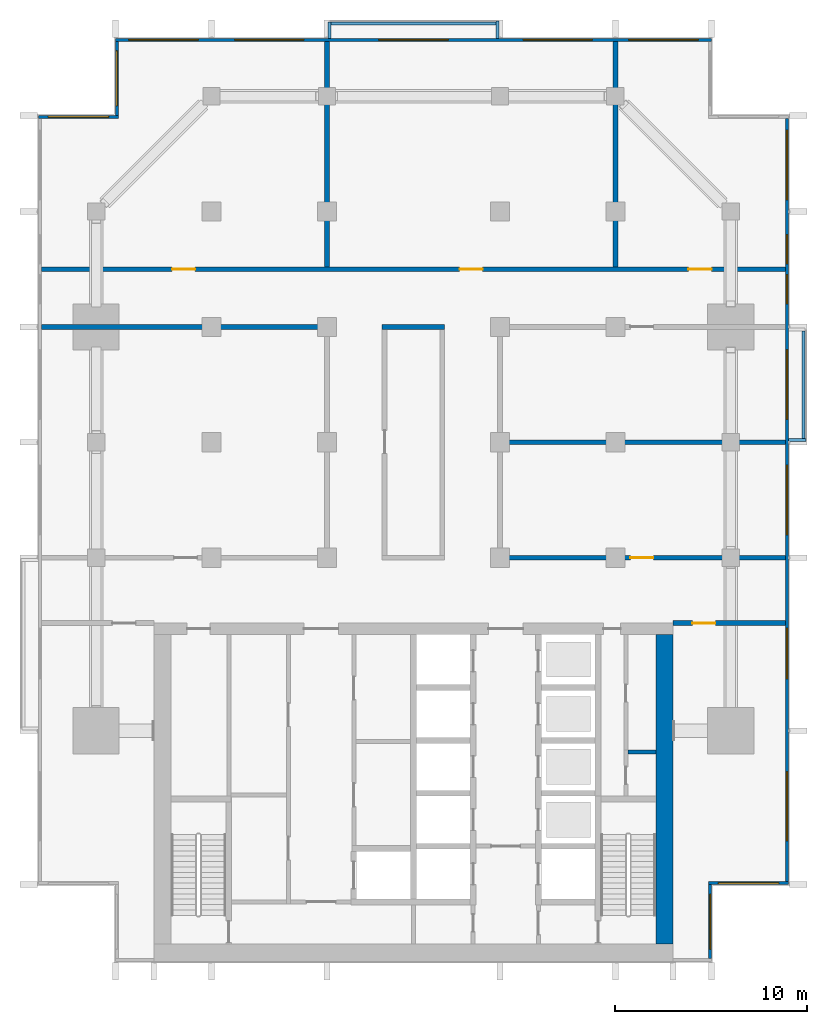
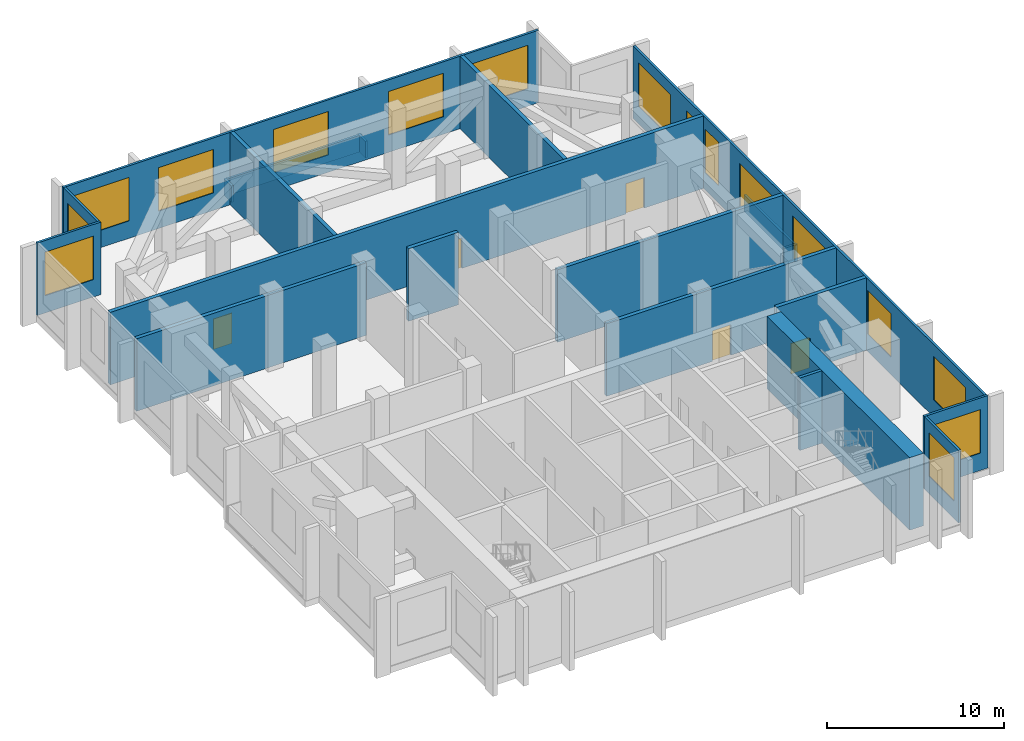
# One storey, part 4 of 11: 21 walls, 16 windows, 5 doors, 21 openings.
"""IFC4 building model written with IfcOpenShell, lengths in metres."""

from ifc_helpers import new_model, si_unit, direction, frame, frame_2d, origin, place, context, subcontext, project, spatial, rectangle, extrude, material, layer, layer_set, type_object, element, fill, save


model = new_model("IFC4")

# Units and contexts
model_context = context("Model", 3, precision=1e-05, world=origin(), true_north=direction((0.0, 1.0)))
body_context = subcontext(model_context, "Body", "Model", "MODEL_VIEW")
ifc_project = project(units=[si_unit("LENGTHUNIT", "METRE"), si_unit("AREAUNIT", "SQUARE_METRE"), si_unit("VOLUMEUNIT", "CUBIC_METRE"), si_unit("PLANEANGLEUNIT", "RADIAN"), si_unit("MASSUNIT", "GRAM", prefix="KILO")], contexts=[model_context])

# Site, building, storey
site_placement = place(None, origin())
site = spatial("IfcSite", under=ifc_project, at=site_placement, CompositionType="ELEMENT")
building_placement = place(site_placement, origin())
building = spatial("IfcBuilding", under=site, at=building_placement, Name="Finial Court Residences", CompositionType="ELEMENT")
storey_placement = place(building_placement, frame((0.0, 0.0, 199.699951171875)))
storey = spatial("IfcBuildingStorey", under=building, at=storey_placement, Name="L50", CompositionType="ELEMENT", Elevation=199.699951171875)

# Walls
ifc_material_1 = material(Name="Concrete C70/85", Category="concrete")
ifc_layer_1 = layer(ifc_material_1, 0.89990234375)
ifc_layer_set_1 = layer_set([ifc_layer_1], Name="Core outer wall 900 Concrete C70/85")
wall_type_1 = type_object("IfcWallType", Name="Core outer wall 900 Concrete C70/85", PredefinedType="SHEAR", material=ifc_layer_set_1)
wall_1_placement = place(storey_placement, frame((13.050048828125, -24.60009765625, 0.0), z_axis=(0.0, 0.0, 1.0), x_axis=(0.0, 1.0, 0.0)))
element("IfcWall", 1, at=wall_1_placement, inside=storey, type_object=wall_type_1, Name="Core outer wall L50-04", PredefinedType="SHEAR", context=body_context, shape_type="SweptSolid", body=[
    extrude(rectangle(XDim=16.10009765625, YDim=0.89990234375, at=frame_2d((8.050048828125, 0.0))), origin(), (0.0, 0.0, 1.0), 5.0),
])
ifc_material_2 = material(Name="Concrete C35/45", Category="concrete")
ifc_layer_2 = layer(ifc_material_2, 0.14990234375)
ifc_layer_set_2 = layer_set([ifc_layer_2], Name="Ledge parapet, Concrete C35/45 150")
wall_type_2 = type_object("IfcWallType", Name="Ledge parapet, Concrete C35/45 150", PredefinedType="PARAPET", material=ifc_layer_set_2)
wall_2_placement = place(storey_placement, frame((4.375, 23.39990234375, 0.0), z_axis=(0.0, 0.0, 1.0), x_axis=(0.0, -1.0, 0.0)))
element("IfcWall", 2, at=wall_2_placement, inside=storey, type_object=wall_type_2, Name="E-L50-LED1-P1", PredefinedType="PARAPET", context=body_context, shape_type="SweptSolid", body=[
    extrude(rectangle(XDim=0.889892578125, YDim=0.14990234375, at=frame_2d((0.44482421875, 0.0))), origin(), (0.0, 0.0, 1.0), 1.150146484375),
])
wall_3_placement = place(storey_placement, frame((-4.375, 22.510009765625, 0.0), z_axis=(0.0, 0.0, 1.0), x_axis=(0.0, 1.0, 0.0)))
element("IfcWall", 3, at=wall_3_placement, inside=storey, type_object=wall_type_2, Name="E-L50-LED1-P2", PredefinedType="PARAPET", context=body_context, shape_type="SweptSolid", body=[
    extrude(rectangle(XDim=0.840087890625, YDim=0.14990234375, at=frame_2d((0.419921875, 0.0))), origin(), (0.0, 0.0, 1.0), 1.150146484375),
])
wall_4_placement = place(storey_placement, frame((-4.300048828125, 23.27490234375, 0.0), z_axis=(0.0, 0.0, 1.0), x_axis=(1.0, 0.0, 0.0)))
element("IfcWall", 4, at=wall_4_placement, inside=storey, type_object=wall_type_2, Name="E-L50-LED1-P3", PredefinedType="PARAPET", context=body_context, shape_type="SweptSolid", body=[
    extrude(rectangle(XDim=8.800048828125, YDim=0.14990234375, at=frame_2d((4.39990234375, 0.0))), origin(), (0.0, 0.0, 1.0), 1.150146484375),
])
wall_5_placement = place(storey_placement, frame((20.39990234375, 1.625, 0.0), z_axis=(0.0, 0.0, 1.0), x_axis=(-1.0, 0.0, 0.0)))
element("IfcWall", 5, at=wall_5_placement, inside=storey, type_object=wall_type_2, Name="E-L50-LED2-P1", PredefinedType="PARAPET", context=body_context, shape_type="SweptSolid", body=[
    extrude(rectangle(XDim=0.889892578125, YDim=0.14990234375, at=frame_2d((0.44482421875, 0.0))), origin(), (0.0, 0.0, 1.0), 1.150146484375),
])
wall_6_placement = place(storey_placement, frame((20.27490234375, 7.300048828125, 0.0), z_axis=(0.0, 0.0, 1.0), x_axis=(0.0, -1.0, 0.0)))
element("IfcWall", 6, at=wall_6_placement, inside=storey, type_object=wall_type_2, Name="E-L50-LED2-P3", PredefinedType="PARAPET", context=body_context, shape_type="SweptSolid", body=[
    extrude(rectangle(XDim=5.800048828125, YDim=0.14990234375, at=frame_2d((2.89990234375, 0.0))), origin(), (0.0, 0.0, 1.0), 1.150146484375),
])

# Wall, opening, door
ifc_material_3 = material(Name="Fire-rated board")
ifc_layer_3 = layer(ifc_material_3, 0.050048828125)
ifc_material_4 = material(Name="Mineral wool in double frame")
ifc_layer_4 = layer(ifc_material_4, 0.14990234375)
ifc_layer_5 = layer(ifc_material_3, 0.050048828125)
ifc_layer_set_3 = layer_set([ifc_layer_3, ifc_layer_4, ifc_layer_5], Name="Plant room wall 250, 2 hour")
wall_type_3 = type_object("IfcWallType", Name="Plant room wall 250, 2 hour", PredefinedType="PARTITIONING", material=ifc_layer_set_3)
wall_7_placement = place(storey_placement, frame((13.5, -7.89990234375, 0.0), z_axis=(0.0, 0.0, 1.0), x_axis=(1.0, 0.0, 0.0)))
wall_7 = element("IfcWall", 7, at=wall_7_placement, inside=storey, type_object=wall_type_3, Name="Partition L50-001", PredefinedType="PARTITIONING", context=body_context, shape_type="SweptSolid", body=[
    extrude(rectangle(XDim=5.85009765625, YDim=0.25, at=frame_2d((2.925048828125, 0.0))), origin(), (0.0, 0.0, 1.0), 5.0),
])
opening_1_placement = place(wall_7_placement, frame((1.0, 0.0, 0.0)))
opening_1 = element("IfcOpeningElement", 8, at=opening_1_placement, cuts=wall_7, Name="Opening L50-D002", PredefinedType="OPENING", context=body_context, shape_type="SweptSolid", body=[
    extrude(rectangle(XDim=1.199951171875, YDim=2.10009765625, at=frame_2d((0.60009765625, 1.050048828125))), frame((0.0, 0.135009765625, 0.0), z_axis=(0.0, -1.0, 0.0), x_axis=(1.0, 0.0, 0.0)), (0.0, 0.0, 1.0), 0.27001953125),
])
ifc_material_5 = material(Name="Timber door leaf in hollow metal frame", Category="wood")
door_type = type_object("IfcDoorType", Name="Fire door set 1200 x 2100, 60 minutes", OperationType="SINGLE_SWING_LEFT", PredefinedType="DOOR", material=ifc_material_5)
door_1_placement = place(opening_1_placement, origin())
door_1 = element("IfcDoor", 9, at=door_1_placement, inside=storey, type_object=door_type, Name="Door L50-D002", OperationType="SINGLE_SWING_LEFT", OverallHeight=2.10009765625, OverallWidth=1.199951171875, PredefinedType="DOOR", context=body_context, shape_type="SweptSolid", body=[
    extrude(rectangle(XDim=1.199951171875, YDim=2.10009765625, at=frame_2d((0.60009765625, 1.050048828125))), frame((0.0, 0.02490234375, 0.0), z_axis=(0.0, -1.0, 0.0), x_axis=(1.0, 0.0, 0.0)), (0.0, 0.0, 1.0), 0.050048828125),
])
fill(opening_1, door_1)

wall_8_placement = place(storey_placement, frame((4.375, -4.5, 0.0), z_axis=(0.0, 0.0, 1.0), x_axis=(1.0, 0.0, 0.0)))
wall_8 = element("IfcWall", 10, at=wall_8_placement, inside=storey, type_object=wall_type_3, Name="Partition L50-004", PredefinedType="PARTITIONING", context=body_context, shape_type="SweptSolid", body=[
    extrude(rectangle(XDim=14.97509765625, YDim=0.25, at=frame_2d((7.487548828125, 0.0))), origin(), (0.0, 0.0, 1.0), 5.0),
])
opening_2_placement = place(wall_8_placement, frame((6.89990234375, 0.0, 0.0)))
opening_2 = element("IfcOpeningElement", 11, at=opening_2_placement, cuts=wall_8, Name="Opening L50-D004", PredefinedType="OPENING", context=body_context, shape_type="SweptSolid", body=[
    extrude(rectangle(XDim=1.199951171875, YDim=2.10009765625, at=frame_2d((0.60009765625, 1.050048828125))), frame((0.0, 0.135009765625, 0.0), z_axis=(0.0, -1.0, 0.0), x_axis=(1.0, 0.0, 0.0)), (0.0, 0.0, 1.0), 0.27001953125),
])
door_2_placement = place(opening_2_placement, origin())
door_2 = element("IfcDoor", 12, at=door_2_placement, inside=storey, type_object=door_type, Name="Door L50-D004", OperationType="SINGLE_SWING_RIGHT", OverallHeight=2.10009765625, OverallWidth=1.199951171875, PredefinedType="DOOR", context=body_context, shape_type="SweptSolid", body=[
    extrude(rectangle(XDim=1.199951171875, YDim=2.10009765625, at=frame_2d((0.60009765625, 1.050048828125))), frame((0.0, 0.02490234375, 0.0), z_axis=(0.0, -1.0, 0.0), x_axis=(1.0, 0.0, 0.0)), (0.0, 0.0, 1.0), 0.050048828125),
])
fill(opening_2, door_2)

# Walls
wall_9_placement = place(storey_placement, frame((4.625, 1.5, 0.0), z_axis=(0.0, 0.0, 1.0), x_axis=(1.0, 0.0, 0.0)))
element("IfcWall", 13, at=wall_9_placement, inside=storey, type_object=wall_type_3, Name="Partition L50-005", PredefinedType="PARTITIONING", context=body_context, shape_type="SweptSolid", body=[
    extrude(rectangle(XDim=14.72509765625, YDim=0.25, at=frame_2d((7.362548828125, 0.0))), origin(), (0.0, 0.0, 1.0), 5.0),
])
wall_10_placement = place(storey_placement, frame((-19.35009765625, 7.5, 0.0), z_axis=(0.0, 0.0, 1.0), x_axis=(1.0, 0.0, 0.0)))
element("IfcWall", 14, at=wall_10_placement, inside=storey, type_object=wall_type_3, Name="Partition L50-006", PredefinedType="PARTITIONING", context=body_context, shape_type="SweptSolid", body=[
    extrude(rectangle(XDim=14.97509765625, YDim=0.25, at=frame_2d((7.487548828125, 0.0))), origin(), (0.0, 0.0, 1.0), 5.0),
])
wall_11_placement = place(storey_placement, frame((-1.625, 7.5, 0.0), z_axis=(0.0, 0.0, 1.0), x_axis=(1.0, 0.0, 0.0)))
element("IfcWall", 15, at=wall_11_placement, inside=storey, type_object=wall_type_3, Name="Partition L50-007", PredefinedType="PARTITIONING", context=body_context, shape_type="SweptSolid", body=[
    extrude(rectangle(XDim=3.25, YDim=0.25, at=frame_2d((1.625, 0.0))), origin(), (0.0, 0.0, 1.0), 5.0),
])

# Wall, openings, doors
wall_12_placement = place(storey_placement, frame((-19.35009765625, 10.5, 0.0), z_axis=(0.0, 0.0, 1.0), x_axis=(1.0, 0.0, 0.0)))
wall_12 = element("IfcWall", 16, at=wall_12_placement, inside=storey, type_object=wall_type_3, Name="Partition L50-009", PredefinedType="PARTITIONING", context=body_context, shape_type="SweptSolid", body=[
    extrude(rectangle(XDim=38.7001953125, YDim=0.25, at=frame_2d((19.35009765625, 0.0))), origin(), (0.0, 0.0, 1.0), 5.0),
])
opening_3_placement = place(wall_12_placement, frame((6.800048828125, 0.0, 0.0)))
opening_3 = element("IfcOpeningElement", 17, at=opening_3_placement, cuts=wall_12, Name="Opening L50-D006", PredefinedType="OPENING", context=body_context, shape_type="SweptSolid", body=[
    extrude(rectangle(XDim=1.199951171875, YDim=2.10009765625, at=frame_2d((0.60009765625, 1.050048828125))), frame((0.0, 0.135009765625, 0.0), z_axis=(0.0, -1.0, 0.0), x_axis=(1.0, 0.0, 0.0)), (0.0, 0.0, 1.0), 0.27001953125),
])
opening_4_placement = place(wall_12_placement, frame((21.75, 0.0, 0.0)))
opening_4 = element("IfcOpeningElement", 18, at=opening_4_placement, cuts=wall_12, Name="Opening L50-D007", PredefinedType="OPENING", context=body_context, shape_type="SweptSolid", body=[
    extrude(rectangle(XDim=1.199951171875, YDim=2.10009765625, at=frame_2d((0.60009765625, 1.050048828125))), frame((0.0, 0.135009765625, 0.0), z_axis=(0.0, -1.0, 0.0), x_axis=(1.0, 0.0, 0.0)), (0.0, 0.0, 1.0), 0.27001953125),
])
opening_5_placement = place(wall_12_placement, frame((33.64990234375, 0.0, 0.0)))
opening_5 = element("IfcOpeningElement", 19, at=opening_5_placement, cuts=wall_12, Name="Opening L50-D008", PredefinedType="OPENING", context=body_context, shape_type="SweptSolid", body=[
    extrude(rectangle(XDim=1.199951171875, YDim=2.10009765625, at=frame_2d((0.60009765625, 1.050048828125))), frame((0.0, 0.135009765625, 0.0), z_axis=(0.0, -1.0, 0.0), x_axis=(1.0, 0.0, 0.0)), (0.0, 0.0, 1.0), 0.27001953125),
])
door_3_placement = place(opening_3_placement, origin())
door_3 = element("IfcDoor", 20, at=door_3_placement, inside=storey, type_object=door_type, Name="Door L50-D006", OperationType="SINGLE_SWING_RIGHT", OverallHeight=2.10009765625, OverallWidth=1.199951171875, PredefinedType="DOOR", context=body_context, shape_type="SweptSolid", body=[
    extrude(rectangle(XDim=1.199951171875, YDim=2.10009765625, at=frame_2d((0.60009765625, 1.050048828125))), frame((0.0, 0.02490234375, 0.0), z_axis=(0.0, -1.0, 0.0), x_axis=(1.0, 0.0, 0.0)), (0.0, 0.0, 1.0), 0.050048828125),
])
fill(opening_3, door_3)
door_4_placement = place(opening_4_placement, origin())
door_4 = element("IfcDoor", 21, at=door_4_placement, inside=storey, type_object=door_type, Name="Door L50-D007", OperationType="SINGLE_SWING_LEFT", OverallHeight=2.10009765625, OverallWidth=1.199951171875, PredefinedType="DOOR", context=body_context, shape_type="SweptSolid", body=[
    extrude(rectangle(XDim=1.199951171875, YDim=2.10009765625, at=frame_2d((0.60009765625, 1.050048828125))), frame((0.0, 0.02490234375, 0.0), z_axis=(0.0, -1.0, 0.0), x_axis=(1.0, 0.0, 0.0)), (0.0, 0.0, 1.0), 0.050048828125),
])
fill(opening_4, door_4)
door_5_placement = place(opening_5_placement, origin())
door_5 = element("IfcDoor", 22, at=door_5_placement, inside=storey, type_object=door_type, Name="Door L50-D008", OperationType="SINGLE_SWING_RIGHT", OverallHeight=2.10009765625, OverallWidth=1.199951171875, PredefinedType="DOOR", context=body_context, shape_type="SweptSolid", body=[
    extrude(rectangle(XDim=1.199951171875, YDim=2.10009765625, at=frame_2d((0.60009765625, 1.050048828125))), frame((0.0, 0.02490234375, 0.0), z_axis=(0.0, -1.0, 0.0), x_axis=(1.0, 0.0, 0.0)), (0.0, 0.0, 1.0), 0.050048828125),
])
fill(opening_5, door_5)

# Walls
for number, where, z_axis, x_axis, name in (
    (23, (-4.5, 10.625, 0.0), (0.0, 0.0, 1.0), (0.0, 1.0, 0.0), "Partition L50-011"),
    (24, (10.5, 10.625, 0.0), (0.0, 0.0, 1.0), (0.0, 1.0, 0.0), "Partition L50-015"),
):
    element("IfcWall", number, at=place(storey_placement, frame(where, z_axis=z_axis, x_axis=x_axis)), inside=storey, type_object=wall_type_3, Name=name, PredefinedType="PARTITIONING", context=body_context, shape_type="SweptSolid", body=[
        extrude(rectangle(XDim=11.72509765625, YDim=0.25, at=frame_2d((5.862548828125, 0.0))), origin(), (0.0, 0.0, 1.0), 5.0),
    ])

# Wall, openings, windows
ifc_material_6 = material(Name="Natural limestone", Category="masonry")
ifc_layer_6 = layer(ifc_material_6, 0.14990234375)
ifc_layer_set_4 = layer_set([ifc_layer_6], Name="Plant storey wall, limestone clad 150")
wall_type_4 = type_object("IfcWallType", Name="Plant storey wall, limestone clad 150", PredefinedType="SOLIDWALL", material=ifc_layer_set_4)
wall_13_placement = place(storey_placement, frame((-15.5, 22.425048828125, 0.0), z_axis=(0.0, 0.0, 1.0), x_axis=(1.0, 0.0, 0.0)))
wall_13 = element("IfcWall", 25, at=wall_13_placement, inside=storey, type_object=wall_type_4, Name="E-L50-PWN1", PredefinedType="SOLIDWALL", context=body_context, shape_type="SweptSolid", body=[
    extrude(rectangle(XDim=31.0, YDim=0.14990234375, at=frame_2d((15.5, 0.0))), origin(), (0.0, 0.0, 1.0), 5.0),
])
opening_6_placement = place(wall_13_placement, frame((0.699951171875, 0.0, 1.199951171875)))
opening_6 = element("IfcOpeningElement", 26, at=opening_6_placement, cuts=wall_13, Name="Opening WE50-01", PredefinedType="OPENING", context=body_context, shape_type="SweptSolid", body=[
    extrude(rectangle(XDim=3.60009765625, YDim=3.0, at=frame_2d((1.800048828125, 1.5))), frame((0.0, 0.0849609375, 0.0), z_axis=(0.0, -1.0, 0.0), x_axis=(1.0, 0.0, 0.0)), (0.0, 0.0, 1.0), 0.169921875),
])
opening_7_placement = place(wall_13_placement, frame((6.199951171875, 0.0, 1.199951171875)))
opening_7 = element("IfcOpeningElement", 27, at=opening_7_placement, cuts=wall_13, Name="Opening WE50-02", PredefinedType="OPENING", context=body_context, shape_type="SweptSolid", body=[
    extrude(rectangle(XDim=3.60009765625, YDim=3.0, at=frame_2d((1.800048828125, 1.5))), frame((0.0, 0.0849609375, 0.0), z_axis=(0.0, -1.0, 0.0), x_axis=(1.0, 0.0, 0.0)), (0.0, 0.0, 1.0), 0.169921875),
])
opening_8_placement = place(wall_13_placement, frame((13.699951171875, 0.0, 1.199951171875)))
opening_8 = element("IfcOpeningElement", 28, at=opening_8_placement, cuts=wall_13, Name="Opening WE50-03", PredefinedType="OPENING", context=body_context, shape_type="SweptSolid", body=[
    extrude(rectangle(XDim=3.60009765625, YDim=3.0, at=frame_2d((1.800048828125, 1.5))), frame((0.0, 0.0849609375, 0.0), z_axis=(0.0, -1.0, 0.0), x_axis=(1.0, 0.0, 0.0)), (0.0, 0.0, 1.0), 0.169921875),
])
opening_9_placement = place(wall_13_placement, frame((21.199951171875, 0.0, 1.199951171875)))
opening_9 = element("IfcOpeningElement", 29, at=opening_9_placement, cuts=wall_13, Name="Opening WE50-04", PredefinedType="OPENING", context=body_context, shape_type="SweptSolid", body=[
    extrude(rectangle(XDim=3.60009765625, YDim=3.0, at=frame_2d((1.800048828125, 1.5))), frame((0.0, 0.0849609375, 0.0), z_axis=(0.0, -1.0, 0.0), x_axis=(1.0, 0.0, 0.0)), (0.0, 0.0, 1.0), 0.169921875),
])
opening_10_placement = place(wall_13_placement, frame((26.699951171875, 0.0, 1.199951171875)))
opening_10 = element("IfcOpeningElement", 30, at=opening_10_placement, cuts=wall_13, Name="Opening WE50-05", PredefinedType="OPENING", context=body_context, shape_type="SweptSolid", body=[
    extrude(rectangle(XDim=3.60009765625, YDim=3.0, at=frame_2d((1.800048828125, 1.5))), frame((0.0, 0.0849609375, 0.0), z_axis=(0.0, -1.0, 0.0), x_axis=(1.0, 0.0, 0.0)), (0.0, 0.0, 1.0), 0.169921875),
])
ifc_material_7 = material(Name="Bronze anodised aluminium", Category="aluminium")
window_type_1 = type_object("IfcWindowType", Name="Plant louvre 3600 x 3000", PartitioningType="SINGLE_PANEL", PredefinedType="WINDOW", material=ifc_material_7)
window_1_placement = place(opening_6_placement, origin())
window_1 = element("IfcWindow", 31, at=window_1_placement, inside=storey, type_object=window_type_1, Name="E-L50-PWN1-W1", OverallHeight=3.0, OverallWidth=3.60009765625, PartitioningType="SINGLE_PANEL", PredefinedType="WINDOW", context=body_context, shape_type="SweptSolid", body=[
    extrude(rectangle(XDim=3.60009765625, YDim=3.0, at=frame_2d((1.800048828125, 1.5))), frame((0.0, 0.030029296875, 0.0), z_axis=(0.0, -1.0, 0.0), x_axis=(1.0, 0.0, 0.0)), (0.0, 0.0, 1.0), 0.06005859375),
])
fill(opening_6, window_1)
window_2_placement = place(opening_7_placement, origin())
window_2 = element("IfcWindow", 32, at=window_2_placement, inside=storey, type_object=window_type_1, Name="E-L50-PWN1-W2", OverallHeight=3.0, OverallWidth=3.60009765625, PartitioningType="SINGLE_PANEL", PredefinedType="WINDOW", context=body_context, shape_type="SweptSolid", body=[
    extrude(rectangle(XDim=3.60009765625, YDim=3.0, at=frame_2d((1.800048828125, 1.5))), frame((0.0, 0.030029296875, 0.0), z_axis=(0.0, -1.0, 0.0), x_axis=(1.0, 0.0, 0.0)), (0.0, 0.0, 1.0), 0.06005859375),
])
fill(opening_7, window_2)
window_3_placement = place(opening_8_placement, origin())
window_3 = element("IfcWindow", 33, at=window_3_placement, inside=storey, type_object=window_type_1, Name="E-L50-PWN1-W3", OverallHeight=3.0, OverallWidth=3.60009765625, PartitioningType="SINGLE_PANEL", PredefinedType="WINDOW", context=body_context, shape_type="SweptSolid", body=[
    extrude(rectangle(XDim=3.60009765625, YDim=3.0, at=frame_2d((1.800048828125, 1.5))), frame((0.0, 0.030029296875, 0.0), z_axis=(0.0, -1.0, 0.0), x_axis=(1.0, 0.0, 0.0)), (0.0, 0.0, 1.0), 0.06005859375),
])
fill(opening_8, window_3)
window_4_placement = place(opening_9_placement, origin())
window_4 = element("IfcWindow", 34, at=window_4_placement, inside=storey, type_object=window_type_1, Name="E-L50-PWN1-W4", OverallHeight=3.0, OverallWidth=3.60009765625, PartitioningType="SINGLE_PANEL", PredefinedType="WINDOW", context=body_context, shape_type="SweptSolid", body=[
    extrude(rectangle(XDim=3.60009765625, YDim=3.0, at=frame_2d((1.800048828125, 1.5))), frame((0.0, 0.030029296875, 0.0), z_axis=(0.0, -1.0, 0.0), x_axis=(1.0, 0.0, 0.0)), (0.0, 0.0, 1.0), 0.06005859375),
])
fill(opening_9, window_4)
window_5_placement = place(opening_10_placement, origin())
window_5 = element("IfcWindow", 35, at=window_5_placement, inside=storey, type_object=window_type_1, Name="E-L50-PWN1-W5", OverallHeight=3.0, OverallWidth=3.60009765625, PartitioningType="SINGLE_PANEL", PredefinedType="WINDOW", context=body_context, shape_type="SweptSolid", body=[
    extrude(rectangle(XDim=3.60009765625, YDim=3.0, at=frame_2d((1.800048828125, 1.5))), frame((0.0, 0.030029296875, 0.0), z_axis=(0.0, -1.0, 0.0), x_axis=(1.0, 0.0, 0.0)), (0.0, 0.0, 1.0), 0.06005859375),
])
fill(opening_10, window_5)

wall_14_placement = place(storey_placement, frame((19.425048828125, 18.35009765625, 0.0), z_axis=(0.0, 0.0, 1.0), x_axis=(0.0, -1.0, 0.0)))
wall_14 = element("IfcWall", 36, at=wall_14_placement, inside=storey, type_object=wall_type_4, Name="E-L50-PWE2", PredefinedType="SOLIDWALL", context=body_context, shape_type="SweptSolid", body=[
    extrude(rectangle(XDim=39.7001953125, YDim=0.14990234375, at=frame_2d((19.85009765625, 0.0))), origin(), (0.0, 0.0, 1.0), 5.0),
])
opening_11_placement = place(wall_14_placement, frame((33.97509765625, 0.0, 1.199951171875)))
opening_11 = element("IfcOpeningElement", 37, at=opening_11_placement, cuts=wall_14, Name="Opening WE50-06", PredefinedType="OPENING", context=body_context, shape_type="SweptSolid", body=[
    extrude(rectangle(XDim=3.60009765625, YDim=3.0, at=frame_2d((1.800048828125, 1.5))), frame((0.0, 0.0849609375, 0.0), z_axis=(0.0, -1.0, 0.0), x_axis=(1.0, 0.0, 0.0)), (0.0, 0.0, 1.0), 0.169921875),
])
opening_12_placement = place(wall_14_placement, frame((26.52490234375, 0.0, 1.199951171875)))
opening_12 = element("IfcOpeningElement", 38, at=opening_12_placement, cuts=wall_14, Name="Opening WE50-07", PredefinedType="OPENING", context=body_context, shape_type="SweptSolid", body=[
    extrude(rectangle(XDim=2.625, YDim=3.0, at=frame_2d((1.3125, 1.5))), frame((0.0, 0.0849609375, 0.0), z_axis=(0.0, -1.0, 0.0), x_axis=(1.0, 0.0, 0.0)), (0.0, 0.0, 1.0), 0.169921875),
])
opening_13_placement = place(wall_14_placement, frame((18.050048828125, 0.0, 1.199951171875)))
opening_13 = element("IfcOpeningElement", 39, at=opening_13_placement, cuts=wall_14, Name="Opening WE50-08", PredefinedType="OPENING", context=body_context, shape_type="SweptSolid", body=[
    extrude(rectangle(XDim=3.60009765625, YDim=3.0, at=frame_2d((1.800048828125, 1.5))), frame((0.0, 0.0849609375, 0.0), z_axis=(0.0, -1.0, 0.0), x_axis=(1.0, 0.0, 0.0)), (0.0, 0.0, 1.0), 0.169921875),
])
opening_14_placement = place(wall_14_placement, frame((12.050048828125, 0.0, 1.199951171875)))
opening_14 = element("IfcOpeningElement", 40, at=opening_14_placement, cuts=wall_14, Name="Opening WE50-09", PredefinedType="OPENING", context=body_context, shape_type="SweptSolid", body=[
    extrude(rectangle(XDim=3.60009765625, YDim=3.0, at=frame_2d((1.800048828125, 1.5))), frame((0.0, 0.0849609375, 0.0), z_axis=(0.0, -1.0, 0.0), x_axis=(1.0, 0.0, 0.0)), (0.0, 0.0, 1.0), 0.169921875),
])
opening_15_placement = place(wall_14_placement, frame((8.125, 0.0, 1.199951171875)))
opening_15 = element("IfcOpeningElement", 41, at=opening_15_placement, cuts=wall_14, Name="Opening WE50-10", PredefinedType="OPENING", context=body_context, shape_type="SweptSolid", body=[
    extrude(rectangle(XDim=1.52490234375, YDim=3.0, at=frame_2d((0.762451171875, 1.5))), frame((0.0, 0.0849609375, 0.0), z_axis=(0.0, -1.0, 0.0), x_axis=(1.0, 0.0, 0.0)), (0.0, 0.0, 1.0), 0.169921875),
])
opening_16_placement = place(wall_14_placement, frame((6.050048828125, 0.0, 1.199951171875)))
opening_16 = element("IfcOpeningElement", 42, at=opening_16_placement, cuts=wall_14, Name="Opening WE50-11", PredefinedType="OPENING", context=body_context, shape_type="SweptSolid", body=[
    extrude(rectangle(XDim=1.52490234375, YDim=3.0, at=frame_2d((0.762451171875, 1.5))), frame((0.0, 0.0849609375, 0.0), z_axis=(0.0, -1.0, 0.0), x_axis=(1.0, 0.0, 0.0)), (0.0, 0.0, 1.0), 0.169921875),
])
opening_17_placement = place(wall_14_placement, frame((0.625, 0.0, 1.199951171875)))
opening_17 = element("IfcOpeningElement", 43, at=opening_17_placement, cuts=wall_14, Name="Opening WE50-12", PredefinedType="OPENING", context=body_context, shape_type="SweptSolid", body=[
    extrude(rectangle(XDim=3.60009765625, YDim=3.0, at=frame_2d((1.800048828125, 1.5))), frame((0.0, 0.0849609375, 0.0), z_axis=(0.0, -1.0, 0.0), x_axis=(1.0, 0.0, 0.0)), (0.0, 0.0, 1.0), 0.169921875),
])
window_type_2 = type_object("IfcWindowType", Name="Plant louvre 1525 x 3000", PartitioningType="SINGLE_PANEL", PredefinedType="WINDOW", material=ifc_material_7)
window_6_placement = place(opening_15_placement, origin())
window_6 = element("IfcWindow", 44, at=window_6_placement, inside=storey, type_object=window_type_2, Name="E-L50-PWE2-W5", OverallHeight=3.0, OverallWidth=1.52490234375, PartitioningType="SINGLE_PANEL", PredefinedType="WINDOW", context=body_context, shape_type="SweptSolid", body=[
    extrude(rectangle(XDim=1.52490234375, YDim=3.0, at=frame_2d((0.762451171875, 1.5))), frame((0.0, 0.030029296875, 0.0), z_axis=(0.0, -1.0, 0.0), x_axis=(1.0, 0.0, 0.0)), (0.0, 0.0, 1.0), 0.06005859375),
])
fill(opening_15, window_6)
window_7_placement = place(opening_16_placement, origin())
window_7 = element("IfcWindow", 45, at=window_7_placement, inside=storey, type_object=window_type_2, Name="E-L50-PWE2-W6", OverallHeight=3.0, OverallWidth=1.52490234375, PartitioningType="SINGLE_PANEL", PredefinedType="WINDOW", context=body_context, shape_type="SweptSolid", body=[
    extrude(rectangle(XDim=1.52490234375, YDim=3.0, at=frame_2d((0.762451171875, 1.5))), frame((0.0, 0.030029296875, 0.0), z_axis=(0.0, -1.0, 0.0), x_axis=(1.0, 0.0, 0.0)), (0.0, 0.0, 1.0), 0.06005859375),
])
fill(opening_16, window_7)
window_type_3 = type_object("IfcWindowType", Name="Plant louvre 2625 x 3000", PartitioningType="SINGLE_PANEL", PredefinedType="WINDOW", material=ifc_material_7)
window_8_placement = place(opening_12_placement, origin())
window_8 = element("IfcWindow", 46, at=window_8_placement, inside=storey, type_object=window_type_3, Name="E-L50-PWE2-W2", OverallHeight=3.0, OverallWidth=2.625, PartitioningType="SINGLE_PANEL", PredefinedType="WINDOW", context=body_context, shape_type="SweptSolid", body=[
    extrude(rectangle(XDim=2.625, YDim=3.0, at=frame_2d((1.3125, 1.5))), frame((0.0, 0.030029296875, 0.0), z_axis=(0.0, -1.0, 0.0), x_axis=(1.0, 0.0, 0.0)), (0.0, 0.0, 1.0), 0.06005859375),
])
fill(opening_12, window_8)
window_9_placement = place(opening_11_placement, origin())
window_9 = element("IfcWindow", 47, at=window_9_placement, inside=storey, type_object=window_type_1, Name="E-L50-PWE2-W1", OverallHeight=3.0, OverallWidth=3.60009765625, PartitioningType="SINGLE_PANEL", PredefinedType="WINDOW", context=body_context, shape_type="SweptSolid", body=[
    extrude(rectangle(XDim=3.60009765625, YDim=3.0, at=frame_2d((1.800048828125, 1.5))), frame((0.0, 0.030029296875, 0.0), z_axis=(0.0, -1.0, 0.0), x_axis=(1.0, 0.0, 0.0)), (0.0, 0.0, 1.0), 0.06005859375),
])
fill(opening_11, window_9)
window_10_placement = place(opening_13_placement, origin())
window_10 = element("IfcWindow", 48, at=window_10_placement, inside=storey, type_object=window_type_1, Name="E-L50-PWE2-W3", OverallHeight=3.0, OverallWidth=3.60009765625, PartitioningType="SINGLE_PANEL", PredefinedType="WINDOW", context=body_context, shape_type="SweptSolid", body=[
    extrude(rectangle(XDim=3.60009765625, YDim=3.0, at=frame_2d((1.800048828125, 1.5))), frame((0.0, 0.030029296875, 0.0), z_axis=(0.0, -1.0, 0.0), x_axis=(1.0, 0.0, 0.0)), (0.0, 0.0, 1.0), 0.06005859375),
])
fill(opening_13, window_10)
window_11_placement = place(opening_14_placement, origin())
window_11 = element("IfcWindow", 49, at=window_11_placement, inside=storey, type_object=window_type_1, Name="E-L50-PWE2-W4", OverallHeight=3.0, OverallWidth=3.60009765625, PartitioningType="SINGLE_PANEL", PredefinedType="WINDOW", context=body_context, shape_type="SweptSolid", body=[
    extrude(rectangle(XDim=3.60009765625, YDim=3.0, at=frame_2d((1.800048828125, 1.5))), frame((0.0, 0.030029296875, 0.0), z_axis=(0.0, -1.0, 0.0), x_axis=(1.0, 0.0, 0.0)), (0.0, 0.0, 1.0), 0.06005859375),
])
fill(opening_14, window_11)
window_12_placement = place(opening_17_placement, origin())
window_12 = element("IfcWindow", 50, at=window_12_placement, inside=storey, type_object=window_type_1, Name="E-L50-PWE2-W7", OverallHeight=3.0, OverallWidth=3.60009765625, PartitioningType="SINGLE_PANEL", PredefinedType="WINDOW", context=body_context, shape_type="SweptSolid", body=[
    extrude(rectangle(XDim=3.60009765625, YDim=3.0, at=frame_2d((1.800048828125, 1.5))), frame((0.0, 0.030029296875, 0.0), z_axis=(0.0, -1.0, 0.0), x_axis=(1.0, 0.0, 0.0)), (0.0, 0.0, 1.0), 0.06005859375),
])
fill(opening_17, window_12)

# Wall, opening, window
wall_15_placement = place(storey_placement, frame((15.425048828125, -21.5, 0.0), z_axis=(0.0, 0.0, 1.0), x_axis=(0.0, -1.0, 0.0)))
wall_15 = element("IfcWall", 51, at=wall_15_placement, inside=storey, type_object=wall_type_4, Name="E-L50-PWE8", PredefinedType="SOLIDWALL", context=body_context, shape_type="SweptSolid", body=[
    extrude(rectangle(XDim=3.85009765625, YDim=0.14990234375, at=frame_2d((1.925048828125, 0.0))), origin(), (0.0, 0.0, 1.0), 5.0),
])
opening_18_placement = place(wall_15_placement, frame((0.5, 0.0, 1.199951171875)))
opening_18 = element("IfcOpeningElement", 52, at=opening_18_placement, cuts=wall_15, Name="Opening WE50-22", PredefinedType="OPENING", context=body_context, shape_type="SweptSolid", body=[
    extrude(rectangle(XDim=2.85009765625, YDim=3.0, at=frame_2d((1.425048828125, 1.5))), frame((0.0, 0.0849609375, 0.0), z_axis=(0.0, -1.0, 0.0), x_axis=(1.0, 0.0, 0.0)), (0.0, 0.0, 1.0), 0.169921875),
])
window_type_4 = type_object("IfcWindowType", Name="Plant louvre 2850 x 3000", PartitioningType="SINGLE_PANEL", PredefinedType="WINDOW", material=ifc_material_7)
window_13_placement = place(opening_18_placement, origin())
window_13 = element("IfcWindow", 53, at=window_13_placement, inside=storey, type_object=window_type_4, Name="E-L50-PWE8-W1", OverallHeight=3.0, OverallWidth=2.85009765625, PartitioningType="SINGLE_PANEL", PredefinedType="WINDOW", context=body_context, shape_type="SweptSolid", body=[
    extrude(rectangle(XDim=2.85009765625, YDim=3.0, at=frame_2d((1.425048828125, 1.5))), frame((0.0, 0.030029296875, 0.0), z_axis=(0.0, -1.0, 0.0), x_axis=(1.0, 0.0, 0.0)), (0.0, 0.0, 1.0), 0.06005859375),
])
fill(opening_18, window_13)

wall_16_placement = place(storey_placement, frame((19.5, -21.425048828125, 0.0), z_axis=(0.0, 0.0, 1.0), x_axis=(-1.0, 0.0, 0.0)))
wall_16 = element("IfcWall", 54, at=wall_16_placement, inside=storey, type_object=wall_type_4, Name="E-L50-PWS9", PredefinedType="SOLIDWALL", context=body_context, shape_type="SweptSolid", body=[
    extrude(rectangle(XDim=4.14990234375, YDim=0.14990234375, at=frame_2d((2.074951171875, 0.0))), origin(), (0.0, 0.0, 1.0), 5.0),
])
opening_19_placement = place(wall_16_placement, frame((0.5, 0.0, 1.199951171875)))
opening_19 = element("IfcOpeningElement", 55, at=opening_19_placement, cuts=wall_16, Name="Opening WE50-23", PredefinedType="OPENING", context=body_context, shape_type="SweptSolid", body=[
    extrude(rectangle(XDim=3.14990234375, YDim=3.0, at=frame_2d((1.574951171875, 1.5))), frame((0.0, 0.0849609375, 0.0), z_axis=(0.0, -1.0, 0.0), x_axis=(1.0, 0.0, 0.0)), (0.0, 0.0, 1.0), 0.169921875),
])
window_type_5 = type_object("IfcWindowType", Name="Plant louvre 3150 x 3000", PartitioningType="SINGLE_PANEL", PredefinedType="WINDOW", material=ifc_material_7)
window_14_placement = place(opening_19_placement, origin())
window_14 = element("IfcWindow", 56, at=window_14_placement, inside=storey, type_object=window_type_5, Name="E-L50-PWS9-W1", OverallHeight=3.0, OverallWidth=3.14990234375, PartitioningType="SINGLE_PANEL", PredefinedType="WINDOW", context=body_context, shape_type="SweptSolid", body=[
    extrude(rectangle(XDim=3.14990234375, YDim=3.0, at=frame_2d((1.574951171875, 1.5))), frame((0.0, 0.030029296875, 0.0), z_axis=(0.0, -1.0, 0.0), x_axis=(1.0, 0.0, 0.0)), (0.0, 0.0, 1.0), 0.06005859375),
])
fill(opening_19, window_14)

wall_17_placement = place(storey_placement, frame((-15.425048828125, 18.5, 0.0), z_axis=(0.0, 0.0, 1.0), x_axis=(0.0, 1.0, 0.0)))
wall_17 = element("IfcWall", 57, at=wall_17_placement, inside=storey, type_object=wall_type_4, Name="E-L50-PWW10", PredefinedType="SOLIDWALL", context=body_context, shape_type="SweptSolid", body=[
    extrude(rectangle(XDim=3.85009765625, YDim=0.14990234375, at=frame_2d((1.925048828125, 0.0))), origin(), (0.0, 0.0, 1.0), 5.0),
])
opening_20_placement = place(wall_17_placement, frame((0.5, 0.0, 1.199951171875)))
opening_20 = element("IfcOpeningElement", 58, at=opening_20_placement, cuts=wall_17, Name="Opening WE50-24", PredefinedType="OPENING", context=body_context, shape_type="SweptSolid", body=[
    extrude(rectangle(XDim=2.85009765625, YDim=3.0, at=frame_2d((1.425048828125, 1.5))), frame((0.0, 0.0849609375, 0.0), z_axis=(0.0, -1.0, 0.0), x_axis=(1.0, 0.0, 0.0)), (0.0, 0.0, 1.0), 0.169921875),
])
window_15_placement = place(opening_20_placement, origin())
window_15 = element("IfcWindow", 59, at=window_15_placement, inside=storey, type_object=window_type_4, Name="E-L50-PWW10-W1", OverallHeight=3.0, OverallWidth=2.85009765625, PartitioningType="SINGLE_PANEL", PredefinedType="WINDOW", context=body_context, shape_type="SweptSolid", body=[
    extrude(rectangle(XDim=2.85009765625, YDim=3.0, at=frame_2d((1.425048828125, 1.5))), frame((0.0, 0.030029296875, 0.0), z_axis=(0.0, -1.0, 0.0), x_axis=(1.0, 0.0, 0.0)), (0.0, 0.0, 1.0), 0.06005859375),
])
fill(opening_20, window_15)

wall_18_placement = place(storey_placement, frame((-19.5, 18.425048828125, 0.0), z_axis=(0.0, 0.0, 1.0), x_axis=(1.0, 0.0, 0.0)))
wall_18 = element("IfcWall", 60, at=wall_18_placement, inside=storey, type_object=wall_type_4, Name="E-L50-PWN11", PredefinedType="SOLIDWALL", context=body_context, shape_type="SweptSolid", body=[
    extrude(rectangle(XDim=4.14990234375, YDim=0.14990234375, at=frame_2d((2.074951171875, 0.0))), origin(), (0.0, 0.0, 1.0), 5.0),
])
opening_21_placement = place(wall_18_placement, frame((0.5, 0.0, 1.199951171875)))
opening_21 = element("IfcOpeningElement", 61, at=opening_21_placement, cuts=wall_18, Name="Opening WE50-25", PredefinedType="OPENING", context=body_context, shape_type="SweptSolid", body=[
    extrude(rectangle(XDim=3.14990234375, YDim=3.0, at=frame_2d((1.574951171875, 1.5))), frame((0.0, 0.0849609375, 0.0), z_axis=(0.0, -1.0, 0.0), x_axis=(1.0, 0.0, 0.0)), (0.0, 0.0, 1.0), 0.169921875),
])
window_16_placement = place(opening_21_placement, origin())
window_16 = element("IfcWindow", 62, at=window_16_placement, inside=storey, type_object=window_type_5, Name="E-L50-PWN11-W1", OverallHeight=3.0, OverallWidth=3.14990234375, PartitioningType="SINGLE_PANEL", PredefinedType="WINDOW", context=body_context, shape_type="SweptSolid", body=[
    extrude(rectangle(XDim=3.14990234375, YDim=3.0, at=frame_2d((1.574951171875, 1.5))), frame((0.0, 0.030029296875, 0.0), z_axis=(0.0, -1.0, 0.0), x_axis=(1.0, 0.0, 0.0)), (0.0, 0.0, 1.0), 0.06005859375),
])
fill(opening_21, window_16)

# Wall
ifc_material_8 = material(Name="Fire-rated gypsum board partition")
ifc_layer_7 = layer(ifc_material_8, 0.199951171875)
ifc_layer_set_5 = layer_set([ifc_layer_7], Name="Riser room wall 200 EI 120")
wall_type_5 = type_object("IfcWallType", Name="Riser room wall 200 EI 120", PredefinedType="PARTITIONING", material=ifc_layer_set_5)
wall_19_placement = place(storey_placement, frame((11.14990234375, -14.60009765625, 0.0), z_axis=(0.0, 0.0, 1.0), x_axis=(1.0, 0.0, 0.0)))
element("IfcWall", 63, at=wall_19_placement, inside=storey, type_object=wall_type_5, Name="Core partition L50-14", PredefinedType="PARTITIONING", context=body_context, shape_type="SweptSolid", body=[
    extrude(rectangle(XDim=1.4501953125, YDim=0.199951171875, at=frame_2d((0.72509765625, 0.0))), origin(), (0.0, 0.0, 1.0), 5.0),
])

save(model, "model.ifc")
